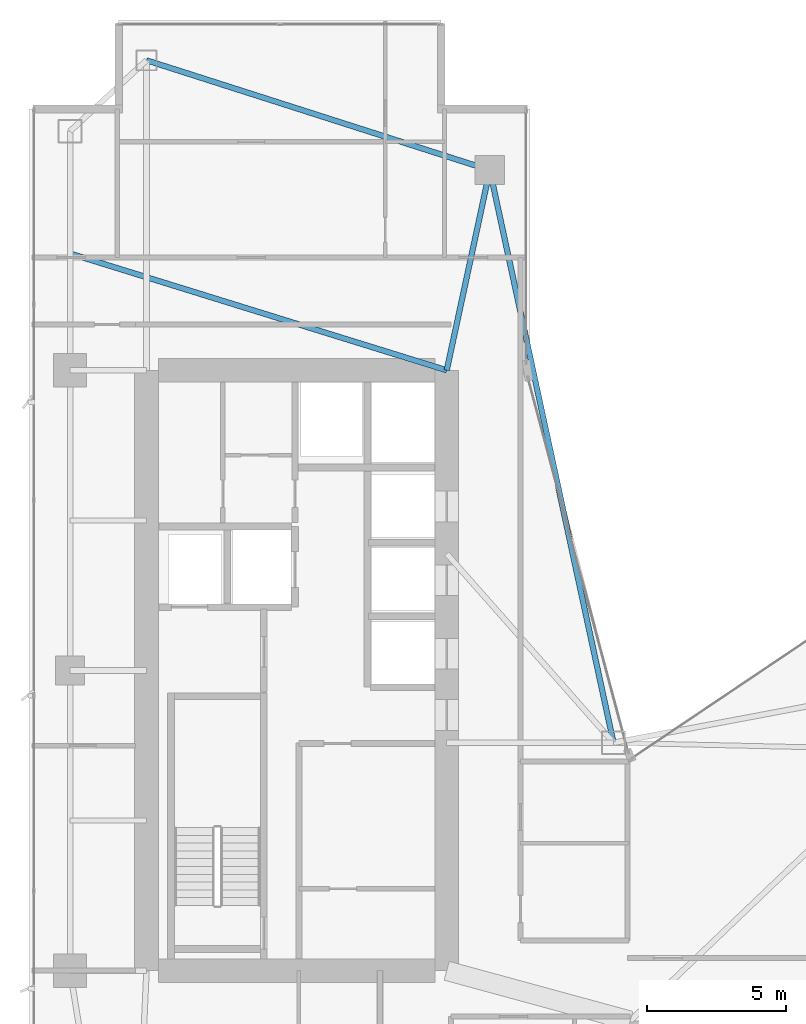
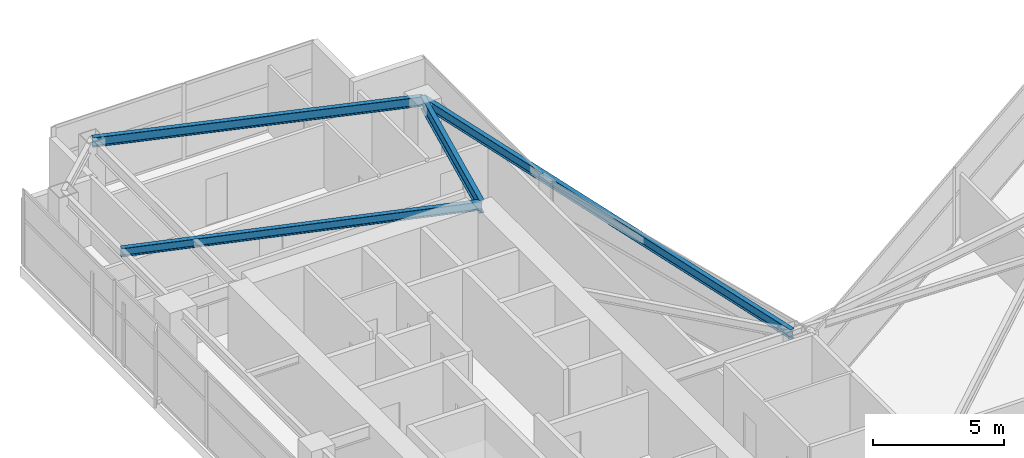
# One storey, part 19 of 30: 4 beams.
"""IFC4 building model written with IfcOpenShell, lengths in metres."""

from ifc_helpers import new_model, si_unit, direction, frame, origin, origin_2d, place, context, subcontext, project, spatial, i_section, extrude, material, material_profile, profile_set, type_object, element, save


model = new_model("IFC4")

# Units and contexts
model_context = context("Model", 3, precision=1e-05, world=origin(), true_north=direction((0.0, 1.0)))
body_context = subcontext(model_context, "Body", "Model", "MODEL_VIEW")
ifc_project = project(units=[si_unit("LENGTHUNIT", "METRE"), si_unit("AREAUNIT", "SQUARE_METRE"), si_unit("VOLUMEUNIT", "CUBIC_METRE"), si_unit("PLANEANGLEUNIT", "RADIAN"), si_unit("MASSUNIT", "GRAM", prefix="KILO")], contexts=[model_context])

# Site, building, storey
site_placement = place(None, origin())
site = spatial("IfcSite", under=ifc_project, at=site_placement, CompositionType="ELEMENT")
building_placement = place(site_placement, origin())
building = spatial("IfcBuilding", under=site, at=building_placement, Name="Calvorn Quay Hotel", CompositionType="ELEMENT")
storey_placement = place(building_placement, frame((0.0, 0.0, 191.300048828125)))
storey = spatial("IfcBuildingStorey", under=building, at=storey_placement, Name="L47", CompositionType="ELEMENT", Elevation=191.300048828125)

# Beams
ifc_material_1 = material(Name="Steel Q355B", Category="steel")
ifc_material_profile_1 = material_profile(ifc_material_1, i_section(OverallWidth=0.199951171875, OverallDepth=0.60009765625, WebThickness=0.010986328125, FlangeThickness=0.01708984375, FilletRadius=0.01806640625, at=origin_2d()), Name="HN600x200x11x17")
ifc_profile_set_1 = profile_set([ifc_material_profile_1], Name="Steel Q355B")
beam_type_1 = type_object("IfcBeamType", Name="BM-GIRD-TYP", PredefinedType="BEAM", material=ifc_profile_set_1)
beam_1_placement = place(storey_placement, frame((16.550048828125, 45.60009765625, 3.239990234375), z_axis=(-0.210457140491, -0.97760308511, 0.0), x_axis=(0.97760308511, -0.210457140491, 0.0)))
element("IfcBeam", 1, at=beam_1_placement, inside=storey, type_object=beam_type_1, Name="Beam BG-L47-W6", PredefinedType="BEAM", context=body_context, shape_type="SweptSolid", body=[
    extrude(i_section(OverallWidth=0.199951171875, OverallDepth=0.60009765625, WebThickness=0.010986328125, FlangeThickness=0.01708984375, FilletRadius=0.01806640625, at=origin_2d()), origin(), (0.0, 0.0, 1.0), 7.365234375),
])
ifc_material_2 = material(Name="Steel Q355B", Category="steel")
ifc_material_profile_2 = material_profile(ifc_material_2, i_section(OverallWidth=0.199951171875, OverallDepth=0.39990234375, WebThickness=0.008056640625, FlangeThickness=0.012939453125, FilletRadius=0.01611328125, at=origin_2d()), Name="HN400x200x8x13")
ifc_profile_set_2 = profile_set([ifc_material_profile_2], Name="Steel Q355B")
beam_type_2 = type_object("IfcBeamType", Name="BM-JOIST-TYP", PredefinedType="JOIST", material=ifc_profile_set_2)
beam_2_placement = place(storey_placement, frame((1.449951171875, 42.60009765625, 3.33984375), z_axis=(0.955163702122, -0.296078202759, 0.0), x_axis=(0.296078202759, 0.955163702122, 0.0)))
element("IfcBeam", 2, at=beam_2_placement, inside=storey, type_object=beam_type_2, Name="Beam BJ-L47-W2", PredefinedType="JOIST", context=body_context, shape_type="SweptSolid", body=[
    extrude(i_section(OverallWidth=0.199951171875, OverallDepth=0.39990234375, WebThickness=0.008056640625, FlangeThickness=0.012939453125, FilletRadius=0.01611328125, at=origin_2d()), origin(), (0.0, 0.0, 1.0), 14.18603515625),
])
ifc_material_3 = material(Name="Steel Q355B", Category="steel")
ifc_material_profile_3 = material_profile(ifc_material_3, i_section(OverallWidth=0.199951171875, OverallDepth=0.449951171875, WebThickness=0.009033203125, FlangeThickness=0.013916015625, FilletRadius=0.01611328125, at=origin_2d()), Name="HN450x200x9x14")
ifc_profile_set_3 = profile_set([ifc_material_profile_3], Name="Steel Q355B")
beam_type_3 = type_object("IfcBeamType", Name="BM-SPANDREL-Z3", PredefinedType="SPANDREL", material=ifc_profile_set_3)
beam_3_placement = place(storey_placement, frame((4.199951171875, 49.550048828125, 3.31494140625), z_axis=(0.952470702374, -0.304630203885, 0.0), x_axis=(0.304630203885, 0.952470702374, 0.0)))
element("IfcBeam", 3, at=beam_3_placement, inside=storey, type_object=beam_type_3, Name="Beam BSP-L47-W6", PredefinedType="SPANDREL", context=body_context, shape_type="SweptSolid", body=[
    extrude(i_section(OverallWidth=0.199951171875, OverallDepth=0.449951171875, WebThickness=0.009033203125, FlangeThickness=0.013916015625, FilletRadius=0.01611328125, at=origin_2d()), origin(), (0.0, 0.0, 1.0), 12.96630859375),
])
beam_4_placement = place(storey_placement, frame((16.550048828125, 45.60009765625, 3.31494140625), z_axis=(0.211145848376, -0.977454567084, 0.0), x_axis=(0.977454567084, 0.211145848376, 0.0)))
element("IfcBeam", 4, at=beam_4_placement, inside=storey, type_object=beam_type_3, Name="Beam BSP-L47-W7", PredefinedType="SPANDREL", context=body_context, shape_type="SweptSolid", body=[
    extrude(i_section(OverallWidth=0.199951171875, OverallDepth=0.449951171875, WebThickness=0.009033203125, FlangeThickness=0.013916015625, FilletRadius=0.01611328125, at=origin_2d()), origin(), (0.0, 0.0, 1.0), 21.0751953125),
])

save(model, "model.ifc")
